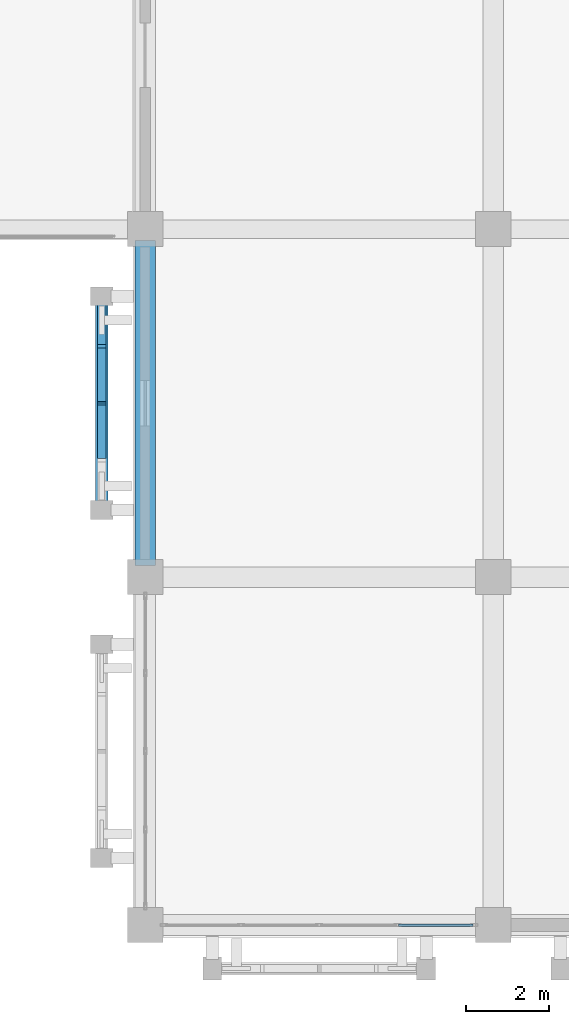
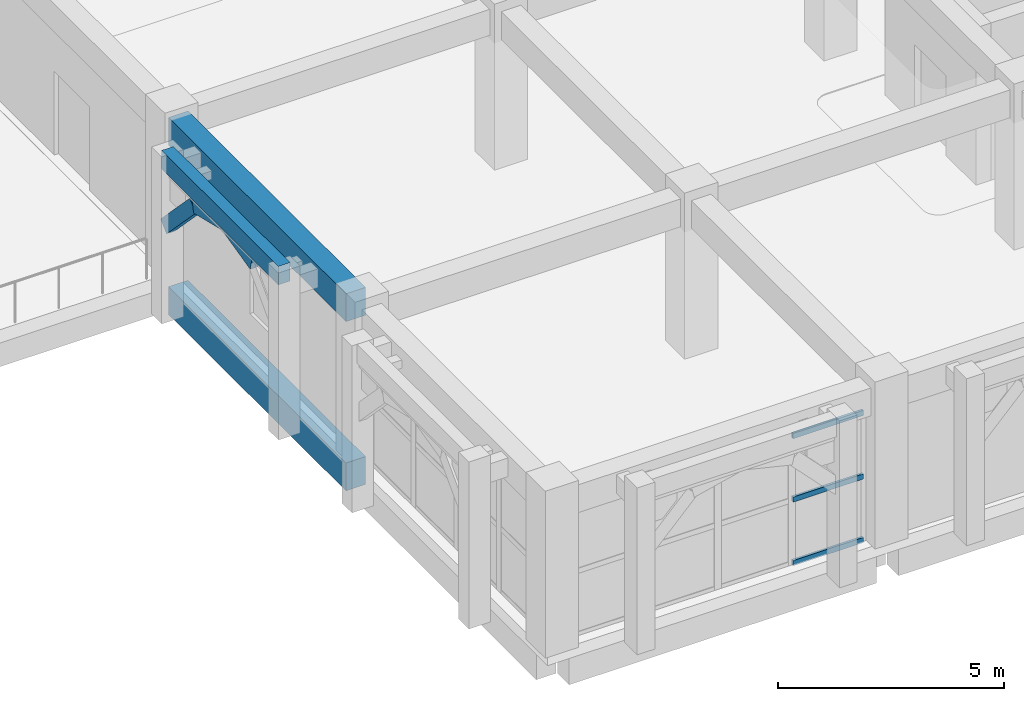
# One storey, part 4 of 129: 6 members, 3 beams, 1 element without a shape of its own.
"""IFC4 building model written with IfcOpenShell, lengths in metres."""

from ifc_helpers import new_model, si_unit, direction, frame, origin, origin_2d, place, context, subcontext, project, spatial, rectangle, hollow_rectangle, extrude, material, layer, layer_set, material_profile, profile_set, type_object, element, aggregate, save


model = new_model("IFC4")

# Units and contexts
model_context = context("Model", 3, precision=1e-05, world=origin(), true_north=direction((0.0, 1.0)))
body_context = subcontext(model_context, "Body", "Model", "MODEL_VIEW")
ifc_project = project(units=[si_unit("LENGTHUNIT", "METRE"), si_unit("AREAUNIT", "SQUARE_METRE"), si_unit("VOLUMEUNIT", "CUBIC_METRE"), si_unit("PLANEANGLEUNIT", "RADIAN"), si_unit("MASSUNIT", "GRAM", prefix="KILO")], contexts=[model_context])

# Site, building, storey
site_placement = place(None, origin())
site = spatial("IfcSite", under=ifc_project, at=site_placement, CompositionType="ELEMENT")
building_placement = place(site_placement, origin())
building = spatial("IfcBuilding", under=site, at=building_placement, Name="Xazarin Passage Department Store", CompositionType="ELEMENT")
storey_placement = place(building_placement, frame((0.0, 0.0, 9.89990234375)))
storey = spatial("IfcBuildingStorey", under=building, at=storey_placement, Name="L02", CompositionType="ELEMENT", Elevation=9.89990234375)

# Curtain wall, members
ifc_material_1 = material(Name="Bronze anodised aluminium", Category="aluminium")
ifc_layer = layer(ifc_material_1, 0.18994140625)
ifc_layer_set = layer_set([ifc_layer], Name="Bronze anodised aluminium")
curtain_wall_type = type_object("IfcCurtainWallType", Name="ARC-CW-FDH1", PredefinedType="NOTDEFINED", material=ifc_layer_set)
curtain_wall_placement = place(storey_placement, origin())
curtain_wall = element("IfcCurtainWall", 1, at=curtain_wall_placement, inside=storey, type_object=curtain_wall_type, Name="L02 V3 Curtain Wall 130", PredefinedType="NOTDEFINED")
ifc_material_profile_1 = material_profile(ifc_material_1, hollow_rectangle(XDim=0.06494140625, YDim=0.139892578125, WallThickness=0.00390625, at=origin_2d()), Name="ALU 65x140")
ifc_profile_set_1 = profile_set([ifc_material_profile_1], Name="Bronze anodised aluminium")
member_type_1 = type_object("IfcMemberType", Name="ARC-CWT-65x140", PredefinedType="USERDEFINED", material=ifc_profile_set_1)
member_1_placement = place(storey_placement, frame((14.52001953125, 0.0, 0.03271484375), z_axis=(1.0, 0.0, 0.0), x_axis=(0.0, 1.0, 0.0)))
member_1 = element("IfcMember", 2, at=member_1_placement, type_object=member_type_1, Name="CW5 transom 4.1", ObjectType="TRANSOM", PredefinedType="USERDEFINED", context=body_context, shape_type="SweptSolid", body=[
    extrude(hollow_rectangle(XDim=0.06494140625, YDim=0.139892578125, WallThickness=0.00390625, at=origin_2d()), origin(), (0.0, 0.0, 1.0), 1.7900390625),
])
member_2_placement = place(storey_placement, frame((14.52001953125, 0.0, 1.7451171875), z_axis=(1.0, 0.0, 0.0), x_axis=(0.0, 1.0, 0.0)))
member_2 = element("IfcMember", 3, at=member_2_placement, type_object=member_type_1, Name="CW5 transom 4.2", ObjectType="TRANSOM", PredefinedType="USERDEFINED", context=body_context, shape_type="SweptSolid", body=[
    extrude(hollow_rectangle(XDim=0.06494140625, YDim=0.139892578125, WallThickness=0.00390625, at=origin_2d()), origin(), (0.0, 0.0, 1.0), 1.7900390625),
])
member_3_placement = place(storey_placement, frame((14.52001953125, 0.0, 3.45751953125), z_axis=(1.0, 0.0, 0.0), x_axis=(0.0, 1.0, 0.0)))
member_3 = element("IfcMember", 4, at=member_3_placement, type_object=member_type_1, Name="CW5 transom 4.3", ObjectType="TRANSOM", PredefinedType="USERDEFINED", context=body_context, shape_type="SweptSolid", body=[
    extrude(hollow_rectangle(XDim=0.06494140625, YDim=0.139892578125, WallThickness=0.00390625, at=origin_2d()), origin(), (0.0, 0.0, 1.0), 1.7900390625),
])
aggregate(curtain_wall, [member_1, member_2, member_3])

# Beams
ifc_material_2 = material(Name="Concrete C35/45", Category="concrete")
ifc_material_profile_2 = material_profile(ifc_material_2, rectangle(XDim=0.300048828125, YDim=0.5, at=origin_2d()), Name="RC 300x500")
ifc_profile_set_2 = profile_set([ifc_material_profile_2], Name="Concrete C35/45")
beam_type_1 = type_object("IfcBeamType", Name="STR-BM-LN300x500", PredefinedType="LINTEL", material=ifc_profile_set_2)
beam_placement = place(storey_placement, frame((7.35009765625, 10.02001953125, 4.25), z_axis=(0.0, 1.0, 0.0), x_axis=(-1.0, 0.0, 0.0)))
element("IfcBeam", 5, at=beam_placement, inside=storey, type_object=beam_type_1, Name="L02 V3 Colonnade Spandrel Beam 039", PredefinedType="LINTEL", context=body_context, shape_type="SweptSolid", body=[
    extrude(rectangle(XDim=0.300048828125, YDim=0.5, at=origin_2d()), origin(), (0.0, 0.0, 1.0), 5.159912109375),
])
ifc_material_profile_3 = material_profile(ifc_material_2, rectangle(XDim=0.5, YDim=0.75, at=origin_2d()), Name="RC 500x750")
ifc_profile_set_3 = profile_set([ifc_material_profile_3], Name="Concrete C35/45")
beam_type_2 = type_object("IfcBeamType", Name="STR-BM-SP500x750", PredefinedType="SPANDREL", material=ifc_profile_set_3)
for number, where, z_axis, x_axis, name in (
    (6, (8.39990234375, 8.679931640625, -0.69482421875), (0.0, 1.0, 0.0), (-1.0, 0.0, 0.0), "L02 Grid Beam 2/B-C"),
    (7, (8.39990234375, 8.679931640625, 3.864990234375), (0.0, 1.0, 0.0), (-1.0, 0.0, 0.0), "L02 Grid Beam 2/B-C"),
):
    element("IfcBeam", number, at=place(storey_placement, frame(where, z_axis=z_axis, x_axis=x_axis)), inside=storey, type_object=beam_type_2, Name=name, PredefinedType="SPANDREL", context=body_context, shape_type="SweptSolid", body=[
        extrude(rectangle(XDim=0.5, YDim=0.75, at=origin_2d()), origin(), (0.0, 0.0, 1.0), 7.840087890625),
    ])

# Members
ifc_material_3 = material(Name="Concrete C40/50", Category="concrete")
ifc_material_profile_4 = material_profile(ifc_material_3, rectangle(XDim=0.199951171875, YDim=0.360107421875, at=origin_2d()), Name="RC 200x360")
ifc_profile_set_4 = profile_set([ifc_material_profile_4], Name="Concrete C40/50")
member_type_2 = type_object("IfcMemberType", Name="STR-MEM-ARC360", PredefinedType="CHORD", material=ifc_profile_set_4)
member_4_placement = place(storey_placement, frame((7.35009765625, 11.31005859375, 3.7705078125), z_axis=(0.0, 0.972393983317, 0.233345111818), x_axis=(-1.0, 0.0, 0.0)))
element("IfcMember", 8, at=member_4_placement, inside=storey, type_object=member_type_2, Name="L02 V3 Pierced Lattice Curved Arch 039.2", PredefinedType="CHORD", context=body_context, shape_type="SweptSolid", body=[
    extrude(rectangle(XDim=0.199951171875, YDim=0.360107421875, at=origin_2d()), origin(), (0.0, 0.0, 1.0), 1.32666015625),
])
member_5_placement = place(storey_placement, frame((7.35009765625, 12.60009765625, 4.080078125), z_axis=(0.0, 0.972383960415, -0.233386875224), x_axis=(-1.0, 0.0, 0.0)))
element("IfcMember", 9, at=member_5_placement, inside=storey, type_object=member_type_2, Name="L02 V3 Pierced Lattice Curved Arch 039.3", PredefinedType="CHORD", context=body_context, shape_type="SweptSolid", body=[
    extrude(rectangle(XDim=0.199951171875, YDim=0.360107421875, at=origin_2d()), origin(), (0.0, 0.0, 1.0), 1.326416015625),
])
member_6_placement = place(storey_placement, frame((7.35009765625, 13.889892578125, 3.7705078125), z_axis=(0.0, 0.693460080602, -0.720495049679), x_axis=(-1.0, 0.0, 0.0)))
element("IfcMember", 10, at=member_6_placement, inside=storey, type_object=member_type_2, Name="L02 V3 Pierced Lattice Curved Arch 039.4", PredefinedType="CHORD", context=body_context, shape_type="SweptSolid", body=[
    extrude(rectangle(XDim=0.199951171875, YDim=0.360107421875, at=origin_2d()), origin(), (0.0, 0.0, 1.0), 1.8603515625),
])

save(model, "model.ifc")
